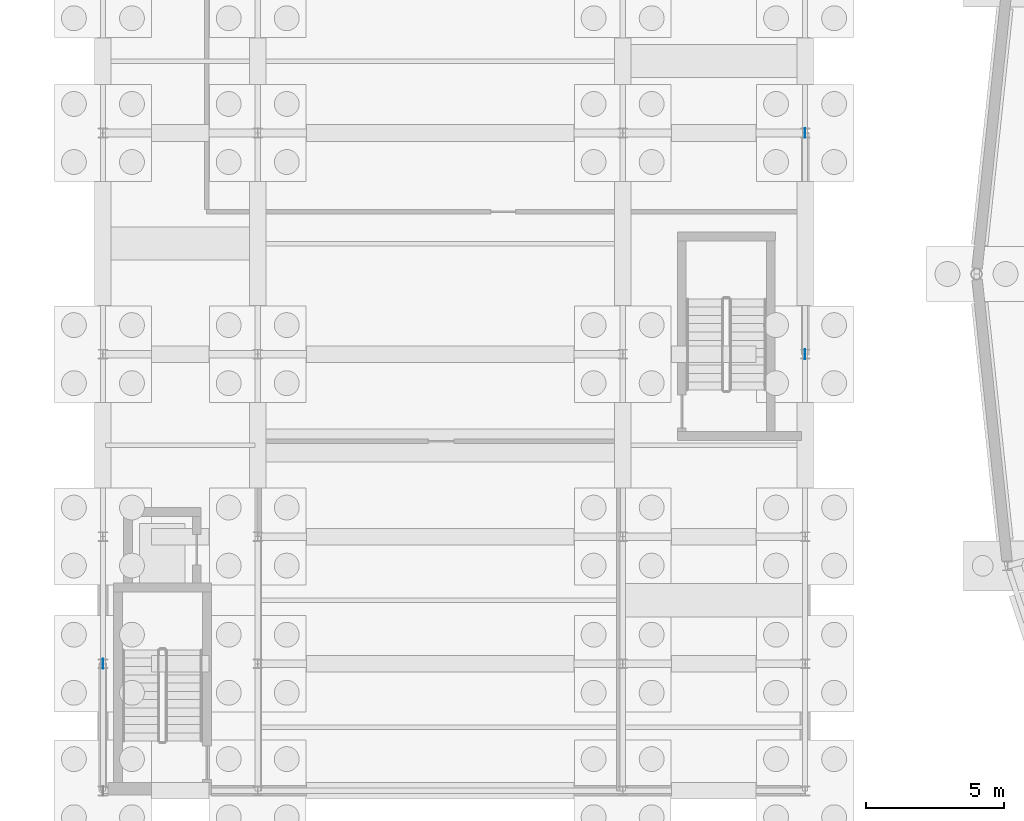
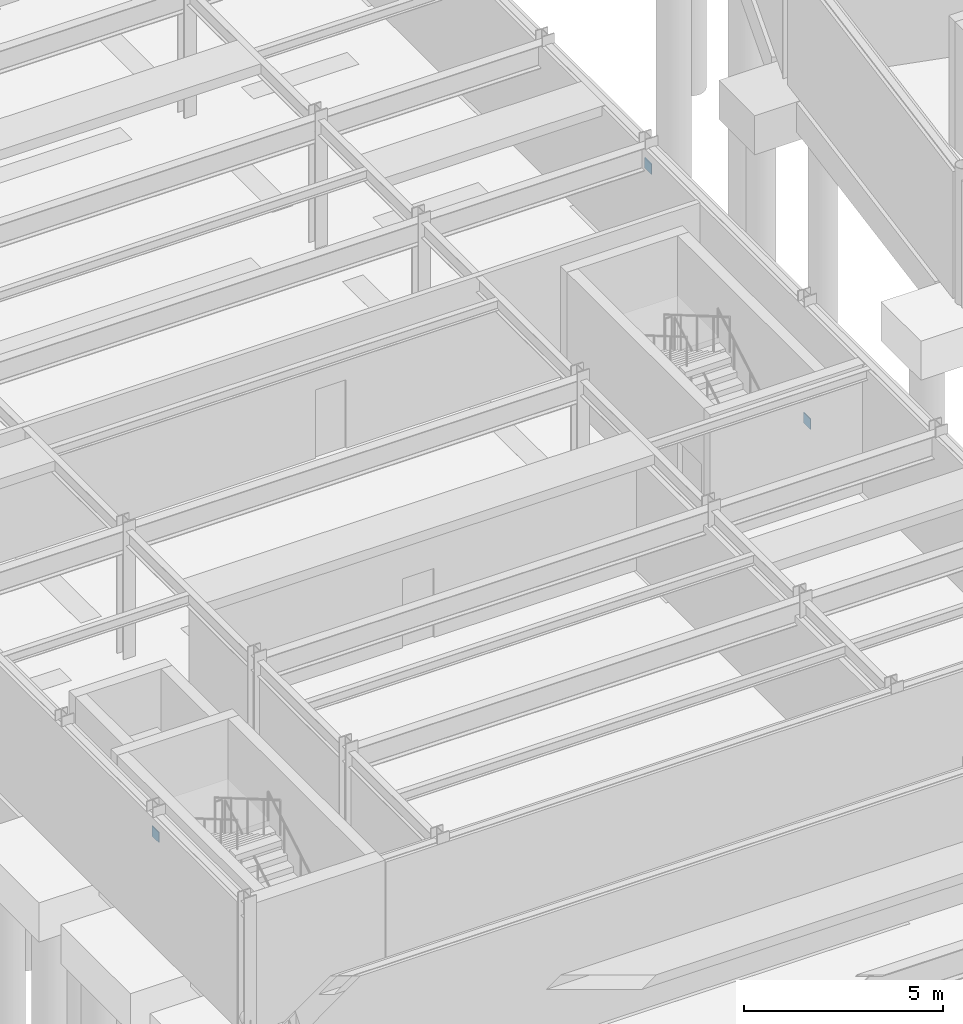
# One storey, part 33 of 58: 3 plates.
"""IFC4 building model written with IfcOpenShell, lengths in metres."""

from ifc_helpers import new_model, si_unit, direction, frame, origin, origin_2d, place, context, subcontext, project, spatial, rectangle, extrude, material, layer, layer_set, type_object, element, save


model = new_model("IFC4")

# Units and contexts
model_context = context("Model", 3, precision=1e-05, world=origin(), true_north=direction((0.0, 1.0)))
body_context = subcontext(model_context, "Body", "Model", "MODEL_VIEW")
ifc_project = project(units=[si_unit("LENGTHUNIT", "METRE"), si_unit("AREAUNIT", "SQUARE_METRE"), si_unit("VOLUMEUNIT", "CUBIC_METRE"), si_unit("PLANEANGLEUNIT", "RADIAN"), si_unit("MASSUNIT", "GRAM", prefix="KILO")], contexts=[model_context])

# Site, building, storey
site_placement = place(None, origin())
site = spatial("IfcSite", under=ifc_project, at=site_placement, CompositionType="ELEMENT")
building_placement = place(site_placement, origin())
building = spatial("IfcBuilding", under=site, at=building_placement, Name="Karori Crest Natural Sciences Institute", CompositionType="ELEMENT")
storey_placement = place(building_placement, frame((0.0, 0.0, -4.199951171875)))
storey = spatial("IfcBuildingStorey", under=building, at=storey_placement, Name="B1", CompositionType="ELEMENT", Elevation=-4.199951171875)

# Plates
ifc_material = material(Name="Structural steel AS/NZS 3679.1 Grade 350", Category="steel")
ifc_layer = layer(ifc_material, 0.02490234375, Name="Structural steel AS/NZS 3679.1 Grade 350")
ifc_layer_set = layer_set([ifc_layer], Name="Structural steel AS/NZS 3679.1 Grade 350")
plate_type = type_object("IfcPlateType", Name="PLT-06", PredefinedType="SHEET", material=ifc_layer_set)
for number, where, z_axis, x_axis, name in (
    (1, (1.800048828125, 35.800048828125, 3.073486328125), (0.0, 0.0, 1.0), (0.0, 1.0, 0.0), "Brace gusset plate EP-0238"),
    (2, (27.199951171875, 47.0, 0.093505859375), (0.0, 0.0, 1.0), (0.0, 1.0, 0.0), "Brace gusset plate EP-0239"),
    (3, (27.199951171875, 55.0, 3.073486328125), (0.0, 0.0, 1.0), (0.0, 1.0, 0.0), "Brace gusset plate EP-0240"),
):
    element("IfcPlate", number, at=place(storey_placement, frame(where, z_axis=z_axis, x_axis=x_axis)), inside=storey, type_object=plate_type, Name=name, PredefinedType="SHEET", context=body_context, shape_type="SweptSolid", body=[
        extrude(rectangle(XDim=0.35302734375, YDim=0.02490234375, at=origin_2d()), origin(), (0.0, 0.0, 1.0), 0.31298828125),
    ])

save(model, "model.ifc")
